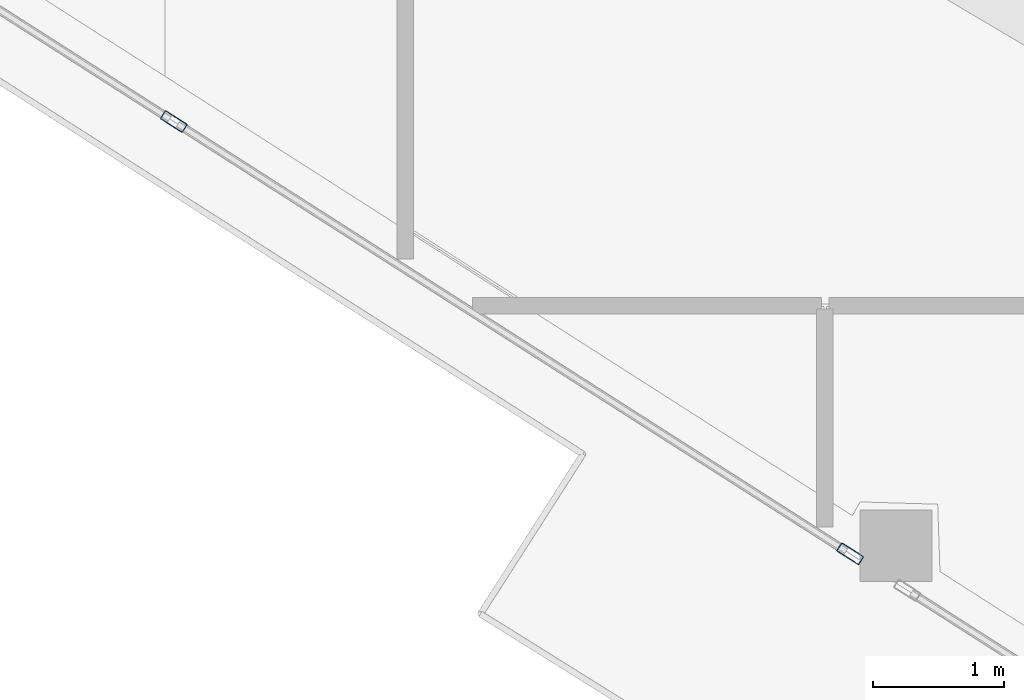
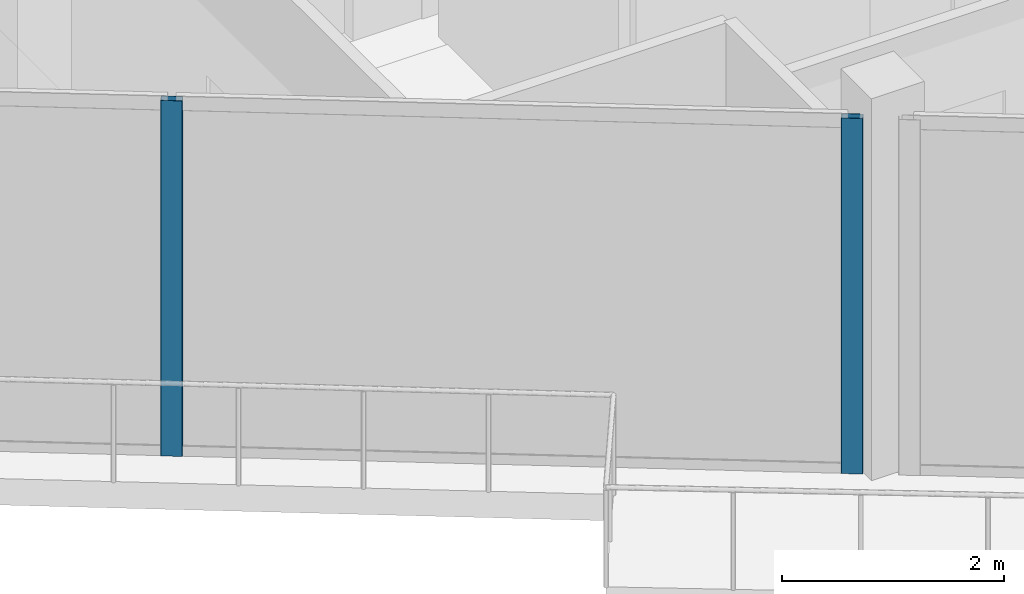
# One storey, part 2 of 27: 2 members, 1 element without a shape of its own.
"""IFC4 building model written with IfcOpenShell, lengths in metres."""

from ifc_helpers import new_model, si_unit, direction, frame, origin, origin_2d, place, context, subcontext, project, spatial, hollow_rectangle, extrude, material, layer, layer_set, material_profile, profile_set, type_object, element, aggregate, save


model = new_model("IFC4")

# Units and contexts
model_context = context("Model", 3, precision=1e-05, world=origin(), true_north=direction((0.0, 1.0)))
body_context = subcontext(model_context, "Body", "Model", "MODEL_VIEW")
ifc_project = project(units=[si_unit("LENGTHUNIT", "METRE"), si_unit("AREAUNIT", "SQUARE_METRE"), si_unit("VOLUMEUNIT", "CUBIC_METRE"), si_unit("PLANEANGLEUNIT", "RADIAN"), si_unit("MASSUNIT", "GRAM", prefix="KILO")], contexts=[model_context])

# Site, building, storey
site_placement = place(None, origin())
site = spatial("IfcSite", under=ifc_project, at=site_placement, CompositionType="ELEMENT")
building_placement = place(site_placement, origin())
building = spatial("IfcBuilding", under=site, at=building_placement, Name="Qorvath Tower", CompositionType="ELEMENT")
storey_placement = place(building_placement, frame((0.0, 0.0, 293.39990234375)))
storey = spatial("IfcBuildingStorey", under=building, at=storey_placement, Name="L68", CompositionType="ELEMENT", Elevation=293.39990234375)

# Curtain wall, members
ifc_material_1 = material(Name="Anodised aluminium and triple low-E glass", Category="aluminium")
ifc_layer = layer(ifc_material_1, 0.179931640625)
ifc_layer_set = layer_set([ifc_layer], Name="CW-SYS-5")
curtain_wall_type = type_object("IfcCurtainWallType", Name="CW-SYS-5", PredefinedType="NOTDEFINED", material=ifc_layer_set)
curtain_wall_placement = place(storey_placement, origin())
curtain_wall = element("IfcCurtainWall", 1, at=curtain_wall_placement, inside=storey, type_object=curtain_wall_type, Name="Curtain Wall CW-5 CW-T-L68-2.1", PredefinedType="NOTDEFINED")
ifc_material_2 = material(Name="Anodised aluminium 6063-T6", Category="aluminium")
ifc_material_profile = material_profile(ifc_material_2, hollow_rectangle(XDim=0.074951171875, YDim=0.199951171875, WallThickness=0.00390625, InnerFilletRadius=0.00390625, OuterFilletRadius=0.008056640625, at=origin_2d()), Name="CWM 200x75")
ifc_profile_set = profile_set([ifc_material_profile], Name="Anodised aluminium 6063-T6")
member_type = type_object("IfcMemberType", Name="CWM-200", PredefinedType="MULLION", material=ifc_profile_set)
member_1_placement = place(storey_placement, frame((-39.626220703125, -9.549560546875, 0.0), z_axis=(0.0, 0.0, 1.0), x_axis=(0.538538485017, 0.84260091393, 0.0)))
member_1 = element("IfcMember", 2, at=member_1_placement, type_object=member_type, Name="CW-5 mullion 3", PredefinedType="MULLION", context=body_context, shape_type="SweptSolid", body=[
    extrude(hollow_rectangle(XDim=0.074951171875, YDim=0.199951171875, WallThickness=0.00390625, InnerFilletRadius=0.00390625, OuterFilletRadius=0.008056640625, at=origin_2d()), origin(), (0.0, 0.0, 1.0), 3.91015625),
])
member_2_placement = place(storey_placement, frame((-34.455810546875, -12.85400390625, 0.0), z_axis=(0.0, 0.0, 1.0), x_axis=(0.538538485017, 0.84260091393, 0.0)))
member_2 = element("IfcMember", 3, at=member_2_placement, type_object=member_type, Name="CW-5 mullion 4", PredefinedType="MULLION", context=body_context, shape_type="SweptSolid", body=[
    extrude(hollow_rectangle(XDim=0.074951171875, YDim=0.199951171875, WallThickness=0.00390625, InnerFilletRadius=0.00390625, OuterFilletRadius=0.008056640625, at=origin_2d()), origin(), (0.0, 0.0, 1.0), 3.91015625),
])
aggregate(curtain_wall, [member_1, member_2])

save(model, "model.ifc")
